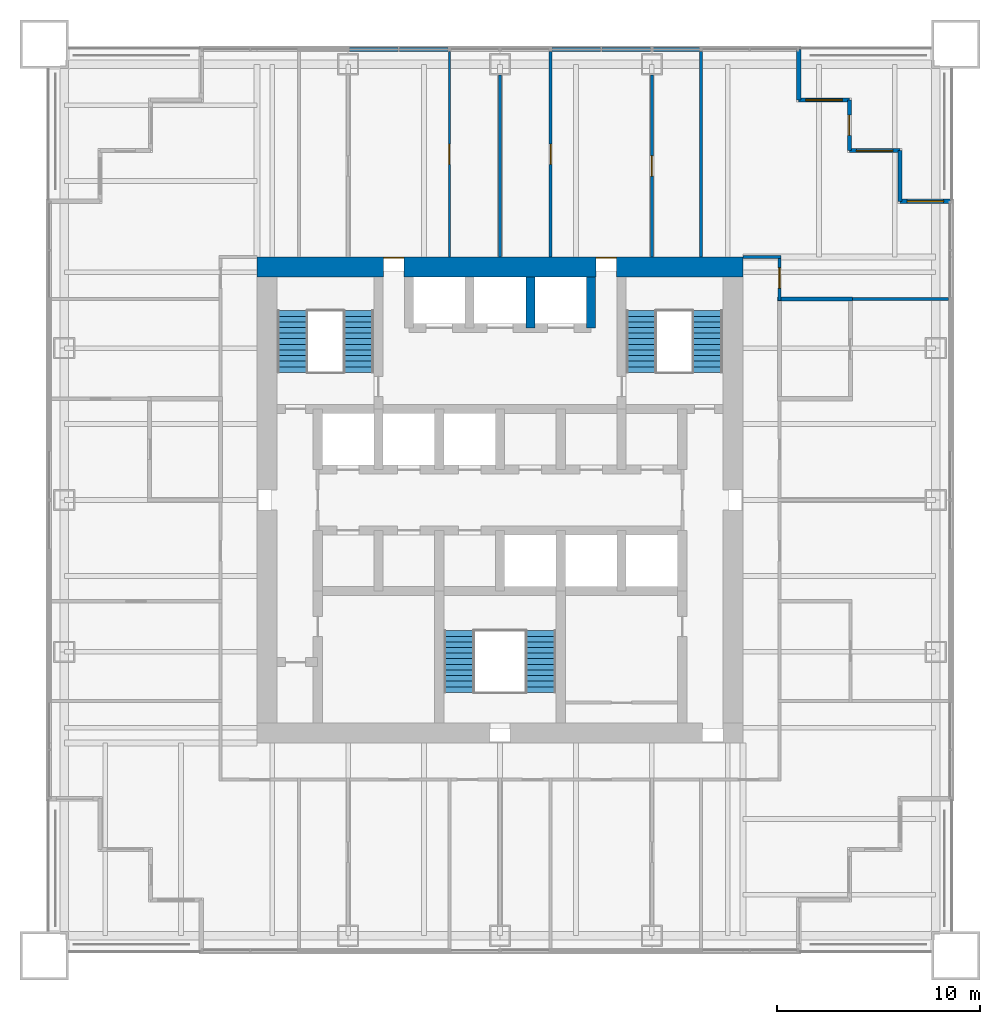
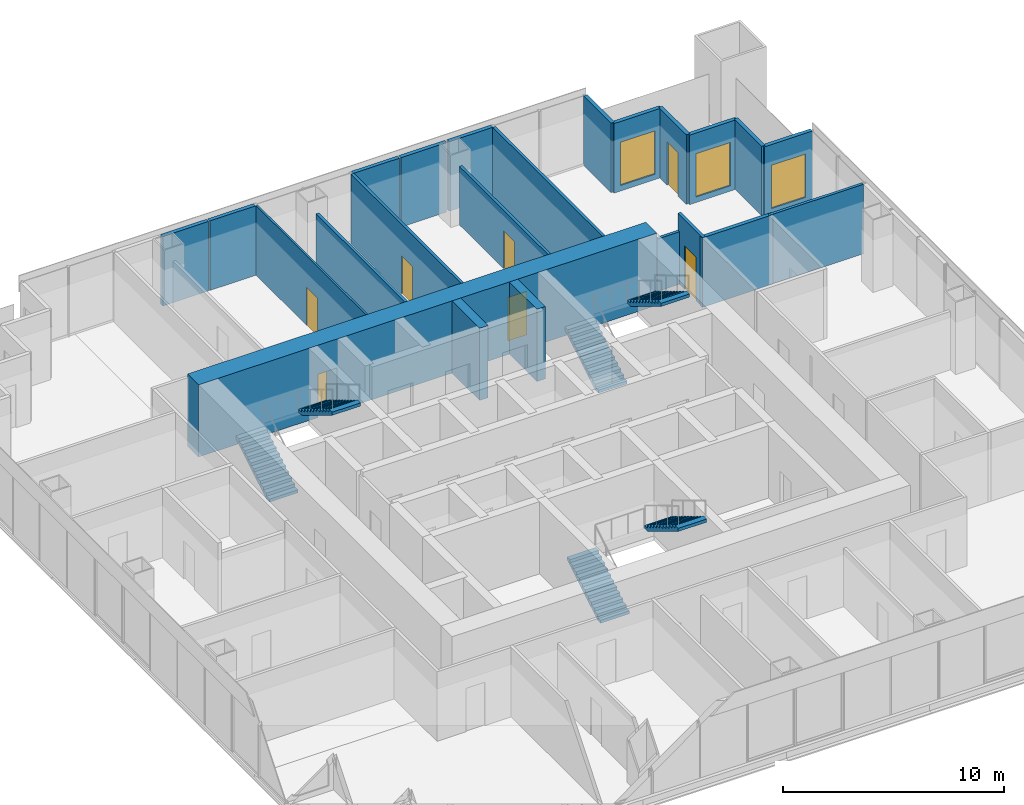
# One storey, part 11 of 13: 23 walls, 7 doors, 6 stair flights, 3 windows, 10 openings, 3 elements without a shape of their own.
"""IFC4 building model written with IfcOpenShell, lengths in metres."""

import ifcopenshell
import ifcopenshell.guid

model = None  # the IFC model being written
_history = None  # IfcOwnerHistory: only IFC2X3 demands one
_inside = {}  # id of a spatial element -> (the spatial element, [elements in it])
_under = {}  # id of a project, library or spatial element -> (it, [spatial elements below it])
_declared = {}  # id of a project -> (the project, [libraries it declares])
_typed = {}  # id of a type object -> (the type object, [elements of that type])
_made_of = {}  # id of a material, layer set ... -> (it, [elements and type objects made of it])


def new_model(schema):
    """Start an empty IFC model of exactly this schema.

    Asked for "IFC4X3", IfcOpenShell would pick the latest addendum, in which some entities
    have other attributes; the version numbers below select the first issue.
    IFC2X3 requires an IfcOwnerHistory on every rooted entity: one is made here for all.
    """
    global model, _history
    if schema == "IFC4X3":
        model = ifcopenshell.file(schema_version=(4, 3, 0, 0))
    else:
        model = ifcopenshell.file(schema=schema)
    _inside.clear()
    _under.clear()
    _declared.clear()
    _typed.clear()
    _made_of.clear()
    _history = None
    if model.schema == "IFC2X3":
        org = make("IfcOrganization", Name="unknown")
        user = make(
            "IfcPersonAndOrganization",
            ThePerson=make("IfcPerson", FamilyName="unknown"),
            TheOrganization=org,
        )
        app = make(
            "IfcApplication",
            ApplicationDeveloper=org,
            Version="unknown",
            ApplicationFullName="unknown",
            ApplicationIdentifier="unknown",
        )
        _history = make(
            "IfcOwnerHistory",
            OwningUser=user,
            OwningApplication=app,
            ChangeAction="ADDED",
            CreationDate=0,
        )
    return model


def make(cls, **values):
    """One entity of the class cls with the attributes given. An attribute that is None is left unset."""
    return model.create_entity(
        cls, **{name: value for name, value in values.items() if value is not None}
    )


def rooted(cls, **values):
    """An entity with a GlobalId (a new one), such as an element, a storey or a relation."""
    return make(cls, GlobalId=ifcopenshell.guid.new(), OwnerHistory=_history, **values)


def si_unit(unit_type, name, prefix=None):
    """IfcSIUnit, for example si_unit("LENGTHUNIT", "METRE", prefix="MILLI")."""
    return make("IfcSIUnit", UnitType=unit_type, Prefix=prefix, Name=name)


def assignment(units):
    """IfcUnitAssignment: the units of a project."""
    return None if units is None else make("IfcUnitAssignment", Units=units)


def point(xyz):
    """IfcCartesianPoint."""
    return None if xyz is None else make("IfcCartesianPoint", Coordinates=xyz)


def direction(xyz):
    """IfcDirection."""
    return None if xyz is None else make("IfcDirection", DirectionRatios=xyz)


def frame(location, z_axis=None, x_axis=None):
    """IfcAxis2Placement3D, a coordinate frame: its origin and axes. An axis left out is left unset."""
    return make(
        "IfcAxis2Placement3D",
        Location=point(location),
        Axis=direction(z_axis),
        RefDirection=direction(x_axis),
    )


def frame_2d(location, x_axis=None):
    """IfcAxis2Placement2D, a coordinate frame in the plane: its origin and x axis."""
    return make(
        "IfcAxis2Placement2D", Location=point(location), RefDirection=direction(x_axis)
    )


def origin():
    """The frame at (0, 0, 0) with its axes left unset."""
    return frame((0.0, 0.0, 0.0))


def place(relative_to, where):
    """IfcLocalPlacement: puts the frame where relative to a parent placement (None: the world)."""
    return make(
        "IfcLocalPlacement", PlacementRelTo=relative_to, RelativePlacement=where
    )


def context(
    kind, dimensions, precision=None, world=None, true_north=None, identifier=None
):
    """IfcGeometricRepresentationContext, for example the 3D "Model" context."""
    return make(
        "IfcGeometricRepresentationContext",
        ContextIdentifier=identifier,
        ContextType=kind,
        CoordinateSpaceDimension=dimensions,
        Precision=precision,
        WorldCoordinateSystem=world,
        TrueNorth=true_north,
    )


def subcontext(parent, identifier, kind, view, scale=None):
    """IfcGeometricRepresentationSubContext, for example "Body" below "Model"."""
    return make(
        "IfcGeometricRepresentationSubContext",
        ContextIdentifier=identifier,
        ContextType=kind,
        ParentContext=parent,
        TargetScale=scale,
        TargetView=view,
    )


def project(units=None, contexts=None):
    """IfcProject with its units and contexts."""
    return rooted(
        "IfcProject",
        Name="project",
        RepresentationContexts=contexts,
        UnitsInContext=assignment(units),
    )


def spatial(cls, under=None, at=None, **own):
    """A site, building, storey or space (cls), placed at a placement, below another one or the project."""
    s = rooted(cls, ObjectPlacement=at, **own)
    if under is not None:
        _under.setdefault(under.id(), (under, []))[1].append(s)
    return s


def polyline(points):
    """IfcPolyline through the points."""
    return make("IfcPolyline", Points=[point(p) for p in points])


def profile(cls, at=None, kind="AREA", **sizes):
    """A parametric profile (cls). Its sizes go by their IFC names, for example OverallWidth=200.0."""
    return make(cls, ProfileType=kind, Position=at, **sizes)


def rectangle(**sizes):
    """IfcRectangleProfileDef."""
    return profile("IfcRectangleProfileDef", **sizes)


def outline(outer, holes=None, kind="AREA"):
    """IfcArbitraryClosedProfileDef: a profile drawn as a closed curve; with holes, ...WithVoids."""
    if holes is None:
        return make("IfcArbitraryClosedProfileDef", ProfileType=kind, OuterCurve=outer)
    return make(
        "IfcArbitraryProfileDefWithVoids",
        ProfileType=kind,
        OuterCurve=outer,
        InnerCurves=holes,
    )


def extrude(swept, where, along, depth):
    """IfcExtrudedAreaSolid: the profile swept, set in the frame where, extruded along a direction by depth."""
    return make(
        "IfcExtrudedAreaSolid",
        SweptArea=swept,
        Position=where,
        ExtrudedDirection=direction(along),
        Depth=depth,
    )


def shape(context_of_items, identifier, shape_type, items):
    """IfcShapeRepresentation: the items that make up one representation, for example the "Body"."""
    return make(
        "IfcShapeRepresentation",
        ContextOfItems=context_of_items,
        RepresentationIdentifier=identifier,
        RepresentationType=shape_type,
        Items=items,
    )


def material(Name=None, Category=None):
    """IfcMaterial."""
    return make("IfcMaterial", Name=Name, Category=Category)


def layer(
    of_material, thickness, ventilated=None, Name=None, Category=None, Priority=None
):
    """IfcMaterialLayer: one layer of a wall or slab, of a material (None: an air gap)."""
    return make(
        "IfcMaterialLayer",
        Material=of_material,
        LayerThickness=thickness,
        IsVentilated=ventilated,
        Name=Name,
        Category=Category,
        Priority=Priority,
    )


def layer_set(layers, Name=None):
    """IfcMaterialLayerSet."""
    return make("IfcMaterialLayerSet", MaterialLayers=layers, LayerSetName=Name)


def made_of(thing, what):
    """Note that an element or type object is made of a material, layer set ...; save() writes the relation."""
    if what is not None:
        _made_of.setdefault(what.id(), (what, []))[1].append(thing)
    return thing


def type_object(cls, material=None, **own):
    """A type object (cls), such as IfcWallType, which elements share."""
    return made_of(rooted(cls, **own), material)


def element(
    cls,
    number,
    at=None,
    inside=None,
    cuts=None,
    type_object=None,
    material=None,
    context=None,
    identifier="Body",
    shape_type=None,
    held_by="IfcProductDefinitionShape",
    body=None,
    shapes=None,
    **own,
):
    """One element of the class cls, such as IfcWall. Its Tag is "e" and its number.

    at: its placement. inside: the storey or other place that contains it. cuts: it is an
    opening in that element (IfcRelVoidsElement). A single representation is given by context,
    identifier, shape_type and body (its items); several are given by shapes. held_by: the class
    of the entity that holds the representations. save() writes the other relations.
    """
    e = rooted(cls, Tag="e%d" % number, ObjectPlacement=at, **own)
    if body is not None:
        shapes = [shape(context, identifier, shape_type, body)]
    if shapes is not None:
        e.Representation = make(held_by, Representations=shapes)
    if inside is not None:
        _inside.setdefault(inside.id(), (inside, []))[1].append(e)
    if cuts is not None:
        rooted(
            "IfcRelVoidsElement", RelatingBuildingElement=cuts, RelatedOpeningElement=e
        )
    if type_object is not None:
        _typed.setdefault(type_object.id(), (type_object, []))[1].append(e)
    return made_of(e, material)


def fill(opening, filler):
    """IfcRelFillsElement: the door or window that sits in an opening."""
    return rooted(
        "IfcRelFillsElement",
        RelatingOpeningElement=opening,
        RelatedBuildingElement=filler,
    )


def aggregate(whole, parts):
    """IfcRelAggregates: a whole, such as a stair, and the parts it consists of."""
    return rooted("IfcRelAggregates", RelatingObject=whole, RelatedObjects=parts)


def save(model, path):
    """Write the relations noted so far, then the file.

    IfcRelAggregates (storeys below a building ...), IfcRelContainedInSpatialStructure (elements
    in a storey), IfcRelDefinesByType, IfcRelAssociatesMaterial and IfcRelDeclares: one each for
    every whole, place, type object, material and project.
    """
    for whole, parts in _under.values():
        aggregate(whole, parts)
    for where, things in _inside.values():
        rooted(
            "IfcRelContainedInSpatialStructure",
            RelatedElements=things,
            RelatingStructure=where,
        )
    for kind, things in _typed.values():
        rooted("IfcRelDefinesByType", RelatedObjects=things, RelatingType=kind)
    for what, things in _made_of.values():
        rooted("IfcRelAssociatesMaterial", RelatedObjects=things, RelatingMaterial=what)
    for by, libraries in _declared.values():
        rooted("IfcRelDeclares", RelatingContext=by, RelatedDefinitions=libraries)
    model.write(path)


model = new_model("IFC4")

# Units and contexts
model_context = context("Model", 3, precision=1e-05, world=origin(), true_north=direction((0.0, 1.0)))
body_context = subcontext(model_context, "Body", "Model", "MODEL_VIEW")
ifc_project = project(units=[si_unit("LENGTHUNIT", "METRE"), si_unit("AREAUNIT", "SQUARE_METRE"), si_unit("VOLUMEUNIT", "CUBIC_METRE"), si_unit("PLANEANGLEUNIT", "RADIAN"), si_unit("MASSUNIT", "GRAM", prefix="KILO")], contexts=[model_context])

# Site, building, storey
site_placement = place(None, origin())
site = spatial("IfcSite", under=ifc_project, at=site_placement, CompositionType="ELEMENT")
building_placement = place(site_placement, origin())
building = spatial("IfcBuilding", under=site, at=building_placement, Name="Tarangal Relay Tower", CompositionType="ELEMENT")
storey_placement = place(building_placement, frame((0.0, 0.0, 189.89990234375)))
storey = spatial("IfcBuildingStorey", under=building, at=storey_placement, Name="L39", CompositionType="ELEMENT", Elevation=189.89990234375)

# Walls
ifc_material_1 = material(Name="Two layers gypsum board each side on twin steel studs, mineral wool", Category="steel")
ifc_layer_1 = layer(ifc_material_1, 0.199951171875)
ifc_layer_set_1 = layer_set([ifc_layer_1], Name="Acoustic partition 200")
wall_type_1 = type_object("IfcWallType", Name="Acoustic partition 200", PredefinedType="PARTITIONING", material=ifc_layer_set_1)
wall_1_placement = place(storey_placement, frame((13.699951171875, 9.9169921875, 0.0), z_axis=(0.0, 0.0, 1.0), x_axis=(1.0, 0.0, 0.0)))
element("IfcWall", 1, at=wall_1_placement, inside=storey, type_object=wall_type_1, Name="Partition PT2 L39", PredefinedType="PARTITIONING", context=body_context, shape_type="SweptSolid", body=[
    extrude(rectangle(XDim=3.699951171875, YDim=0.199951171875, at=frame_2d((1.85009765625, 0.0))), origin(), (0.0, 0.0, 1.0), 3.85009765625),
])
ifc_material_2 = material(Name="Concrete fc' 60 MPa", Category="concrete")
ifc_layer_2 = layer(ifc_material_2, 0.449951171875)
ifc_layer_set_2 = layer_set([ifc_layer_2], Name="Core inner wall 450")
wall_type_2 = type_object("IfcWallType", Name="Core inner wall 450", PredefinedType="SHEAR", material=ifc_layer_set_2)
for number, where, z_axis, x_axis, name in (
    (2, (4.5, 8.5, 0.0), (0.0, 0.0, 1.0), (0.0, 1.0, 0.0), "Core wall X45 L39"),
    (3, (1.5, 8.5, 0.0), (0.0, 0.0, 1.0), (0.0, 1.0, 0.0), "Core wall X15 L39"),
):
    element("IfcWall", number, at=place(storey_placement, frame(where, z_axis=z_axis, x_axis=x_axis)), inside=storey, type_object=wall_type_2, Name=name, PredefinedType="SHEAR", context=body_context, shape_type="SweptSolid", body=[
        extrude(rectangle(XDim=2.5, YDim=0.449951171875, at=frame_2d((1.25, 0.0))), origin(), (0.0, 0.0, 1.0), 4.0),
    ])

# Wall, openings, doors
ifc_layer_3 = layer(ifc_material_2, 1.0)
ifc_layer_set_3 = layer_set([ifc_layer_3], Name="Core wall 1000")
wall_type_3 = type_object("IfcWallType", Name="Core wall 1000", PredefinedType="SHEAR", material=ifc_layer_set_3)
wall_2_placement = place(storey_placement, frame((-12.0, 11.5, 0.0), z_axis=(0.0, 0.0, 1.0), x_axis=(1.0, 0.0, 0.0)))
wall_2 = element("IfcWall", 4, at=wall_2_placement, inside=storey, type_object=wall_type_3, Name="Core wall N L39", PredefinedType="SHEAR", context=body_context, shape_type="SweptSolid", body=[
    extrude(rectangle(XDim=24.0, YDim=1.0, at=frame_2d((12.0, 0.0))), origin(), (0.0, 0.0, 1.0), 4.0),
])
opening_1_placement = place(wall_2_placement, frame((6.25, 0.0, 0.0)))
opening_1 = element("IfcOpeningElement", 5, at=opening_1_placement, cuts=wall_2, Name="Opening FD3", PredefinedType="OPENING", context=body_context, shape_type="SweptSolid", body=[
    extrude(rectangle(XDim=1.0, YDim=2.39990234375, at=frame_2d((0.5, 1.199951171875))), frame((0.0, 0.510009765625, 0.0), z_axis=(0.0, -1.0, 0.0), x_axis=(1.0, 0.0, 0.0)), (0.0, 0.0, 1.0), 1.02001953125),
])
opening_2_placement = place(wall_2_placement, frame((16.75, 0.0, 0.0)))
opening_2 = element("IfcOpeningElement", 6, at=opening_2_placement, cuts=wall_2, Name="Opening FD3", PredefinedType="OPENING", context=body_context, shape_type="SweptSolid", body=[
    extrude(rectangle(XDim=1.0, YDim=2.39990234375, at=frame_2d((0.5, 1.199951171875))), frame((0.0, 0.510009765625, 0.0), z_axis=(0.0, -1.0, 0.0), x_axis=(1.0, 0.0, 0.0)), (0.0, 0.0, 1.0), 1.02001953125),
])
ifc_material_3 = material(Name="Steel door with hardwood frame", Category="steel")
door_type_1 = type_object("IfcDoorType", Name="Fire door 1000 x 2400 core entry", OperationType="SINGLE_SWING_RIGHT", PredefinedType="DOOR", material=ifc_material_3)
door_1_placement = place(opening_1_placement, origin())
door_1 = element("IfcDoor", 7, at=door_1_placement, inside=storey, type_object=door_type_1, Name="Core entry door north west L39", OperationType="SINGLE_SWING_RIGHT", OverallHeight=2.39990234375, OverallWidth=1.0, PredefinedType="DOOR", context=body_context, shape_type="SweptSolid", body=[
    extrude(rectangle(XDim=1.0, YDim=2.39990234375, at=frame_2d((0.5, 1.199951171875))), frame((0.0, 0.48486328125, 0.0), z_axis=(0.0, -1.0, 0.0), x_axis=(1.0, 0.0, 0.0)), (0.0, 0.0, 1.0), 0.050048828125),
])
fill(opening_1, door_1)
door_2_placement = place(opening_2_placement, origin())
door_2 = element("IfcDoor", 8, at=door_2_placement, inside=storey, type_object=door_type_1, Name="Core entry door north east L39", OperationType="SINGLE_SWING_RIGHT", OverallHeight=2.39990234375, OverallWidth=1.0, PredefinedType="DOOR", context=body_context, shape_type="SweptSolid", body=[
    extrude(rectangle(XDim=1.0, YDim=2.39990234375, at=frame_2d((0.5, 1.199951171875))), frame((0.0, 0.48486328125, 0.0), z_axis=(0.0, -1.0, 0.0), x_axis=(1.0, 0.0, 0.0)), (0.0, 0.0, 1.0), 0.050048828125),
])
fill(opening_2, door_2)

# Wall
ifc_material_4 = material(Name="Black metal clad insulated wall", Category="steel")
ifc_layer_4 = layer(ifc_material_4, 0.199951171875)
ifc_layer_set_4 = layer_set([ifc_layer_4], Name="Corner wall metal clad 200")
wall_type_4 = type_object("IfcWallType", Name="Corner wall metal clad 200", PredefinedType="SOLIDWALL", material=ifc_layer_set_4)
wall_3_placement = place(storey_placement, frame((14.75, 22.25, 0.0), z_axis=(0.0, 0.0, 1.0), x_axis=(0.0, -1.0, 0.0)))
element("IfcWall", 9, at=wall_3_placement, inside=storey, type_object=wall_type_4, Name="Facade wall N facade L39", PredefinedType="SOLIDWALL", context=body_context, shape_type="SweptSolid", body=[
    extrude(rectangle(XDim=2.5, YDim=0.199951171875, at=frame_2d((1.25, 0.0))), origin(), (0.0, 0.0, 1.0), 3.85009765625),
])

# Wall, opening, window
wall_4_placement = place(storey_placement, frame((14.75, 19.75, 0.0), z_axis=(0.0, 0.0, 1.0), x_axis=(1.0, 0.0, 0.0)))
wall_4 = element("IfcWall", 10, at=wall_4_placement, inside=storey, type_object=wall_type_4, Name="Facade wall N facade L39", PredefinedType="SOLIDWALL", context=body_context, shape_type="SweptSolid", body=[
    extrude(rectangle(XDim=2.5, YDim=0.199951171875, at=frame_2d((1.25, 0.0))), origin(), (0.0, 0.0, 1.0), 3.85009765625),
])
opening_3_placement = place(wall_4_placement, frame((0.35009765625, 0.0, 0.300048828125)))
opening_3 = element("IfcOpeningElement", 11, at=opening_3_placement, cuts=wall_4, Name="Opening WN2", PredefinedType="OPENING", context=body_context, shape_type="SweptSolid", body=[
    extrude(rectangle(XDim=1.800048828125, YDim=2.39990234375, at=frame_2d((0.89990234375, 1.199951171875))), frame((0.0, 0.10986328125, 0.0), z_axis=(0.0, -1.0, 0.0), x_axis=(1.0, 0.0, 0.0)), (0.0, 0.0, 1.0), 0.219970703125),
])
ifc_material_5 = material(Name="Dark tinted double glazing in black aluminium frame", Category="aluminium")
window_type = type_object("IfcWindowType", Name="Corner window 1800 x 2400", PartitioningType="SINGLE_PANEL", PredefinedType="WINDOW", material=ifc_material_5)
window_1_placement = place(opening_3_placement, origin())
window_1 = element("IfcWindow", 12, at=window_1_placement, inside=storey, type_object=window_type, Name="Corner window WN2 N facade L39", OverallHeight=2.39990234375, OverallWidth=1.800048828125, PartitioningType="SINGLE_PANEL", PredefinedType="WINDOW", context=body_context, shape_type="SweptSolid", body=[
    extrude(rectangle(XDim=1.800048828125, YDim=2.39990234375, at=frame_2d((0.89990234375, 1.199951171875))), frame((0.0, 0.030029296875, 0.0), z_axis=(0.0, -1.0, 0.0), x_axis=(1.0, 0.0, 0.0)), (0.0, 0.0, 1.0), 0.06005859375),
])
fill(opening_3, window_1)

# Wall, opening, door
wall_5_placement = place(storey_placement, frame((17.25, 19.75, 0.0), z_axis=(0.0, 0.0, 1.0), x_axis=(0.0, -1.0, 0.0)))
wall_5 = element("IfcWall", 13, at=wall_5_placement, inside=storey, type_object=wall_type_4, Name="Facade wall N facade L39", PredefinedType="SOLIDWALL", context=body_context, shape_type="SweptSolid", body=[
    extrude(rectangle(XDim=2.5, YDim=0.199951171875, at=frame_2d((1.25, 0.0))), origin(), (0.0, 0.0, 1.0), 3.85009765625),
])
opening_4_placement = place(wall_5_placement, frame((0.75, 0.0, 0.0)))
opening_4 = element("IfcOpeningElement", 14, at=opening_4_placement, cuts=wall_5, Name="Opening TD1", PredefinedType="OPENING", context=body_context, shape_type="SweptSolid", body=[
    extrude(rectangle(XDim=1.0, YDim=2.39990234375, at=frame_2d((0.5, 1.199951171875))), frame((0.0, 0.10986328125, 0.0), z_axis=(0.0, -1.0, 0.0), x_axis=(1.0, 0.0, 0.0)), (0.0, 0.0, 1.0), 0.219970703125),
])
ifc_material_6 = material(Name="Aluminium glazed door", Category="aluminium")
door_type_2 = type_object("IfcDoorType", Name="Terrace door 1000 x 2400", OperationType="SINGLE_SWING_RIGHT", PredefinedType="DOOR", material=ifc_material_6)
door_3_placement = place(opening_4_placement, origin())
door_3 = element("IfcDoor", 15, at=door_3_placement, inside=storey, type_object=door_type_2, Name="Terrace door TD1 NE L39", OperationType="SINGLE_SWING_RIGHT", OverallHeight=2.39990234375, OverallWidth=1.0, PredefinedType="DOOR", context=body_context, shape_type="SweptSolid", body=[
    extrude(rectangle(XDim=1.0, YDim=2.39990234375, at=frame_2d((0.5, 1.199951171875))), frame((0.0, 0.02490234375, 0.0), z_axis=(0.0, -1.0, 0.0), x_axis=(1.0, 0.0, 0.0)), (0.0, 0.0, 1.0), 0.050048828125),
])
fill(opening_4, door_3)

# Wall, opening, window
wall_6_placement = place(storey_placement, frame((17.25, 17.25, 0.0), z_axis=(0.0, 0.0, 1.0), x_axis=(1.0, 0.0, 0.0)))
wall_6 = element("IfcWall", 16, at=wall_6_placement, inside=storey, type_object=wall_type_4, Name="Facade wall N facade L39", PredefinedType="SOLIDWALL", context=body_context, shape_type="SweptSolid", body=[
    extrude(rectangle(XDim=2.5, YDim=0.199951171875, at=frame_2d((1.25, 0.0))), origin(), (0.0, 0.0, 1.0), 3.85009765625),
])
opening_5_placement = place(wall_6_placement, frame((0.35009765625, 0.0, 0.300048828125)))
opening_5 = element("IfcOpeningElement", 17, at=opening_5_placement, cuts=wall_6, Name="Opening WN2", PredefinedType="OPENING", context=body_context, shape_type="SweptSolid", body=[
    extrude(rectangle(XDim=1.800048828125, YDim=2.39990234375, at=frame_2d((0.89990234375, 1.199951171875))), frame((0.0, 0.10986328125, 0.0), z_axis=(0.0, -1.0, 0.0), x_axis=(1.0, 0.0, 0.0)), (0.0, 0.0, 1.0), 0.219970703125),
])
window_2_placement = place(opening_5_placement, origin())
window_2 = element("IfcWindow", 18, at=window_2_placement, inside=storey, type_object=window_type, Name="Corner window WN2 N facade L39", OverallHeight=2.39990234375, OverallWidth=1.800048828125, PartitioningType="SINGLE_PANEL", PredefinedType="WINDOW", context=body_context, shape_type="SweptSolid", body=[
    extrude(rectangle(XDim=1.800048828125, YDim=2.39990234375, at=frame_2d((0.89990234375, 1.199951171875))), frame((0.0, 0.030029296875, 0.0), z_axis=(0.0, -1.0, 0.0), x_axis=(1.0, 0.0, 0.0)), (0.0, 0.0, 1.0), 0.06005859375),
])
fill(opening_5, window_2)

# Wall
wall_7_placement = place(storey_placement, frame((19.75, 17.25, 0.0), z_axis=(0.0, 0.0, 1.0), x_axis=(0.0, -1.0, 0.0)))
element("IfcWall", 19, at=wall_7_placement, inside=storey, type_object=wall_type_4, Name="Facade wall N facade L39", PredefinedType="SOLIDWALL", context=body_context, shape_type="SweptSolid", body=[
    extrude(rectangle(XDim=2.5, YDim=0.199951171875, at=frame_2d((1.25, 0.0))), origin(), (0.0, 0.0, 1.0), 3.85009765625),
])

# Wall, opening, window
wall_8_placement = place(storey_placement, frame((19.75, 14.75, 0.0), z_axis=(0.0, 0.0, 1.0), x_axis=(1.0, 0.0, 0.0)))
wall_8 = element("IfcWall", 20, at=wall_8_placement, inside=storey, type_object=wall_type_4, Name="Facade wall N facade L39", PredefinedType="SOLIDWALL", context=body_context, shape_type="SweptSolid", body=[
    extrude(rectangle(XDim=2.5, YDim=0.199951171875, at=frame_2d((1.25, 0.0))), origin(), (0.0, 0.0, 1.0), 3.85009765625),
])
opening_6_placement = place(wall_8_placement, frame((0.35009765625, 0.0, 0.300048828125)))
opening_6 = element("IfcOpeningElement", 21, at=opening_6_placement, cuts=wall_8, Name="Opening WN2", PredefinedType="OPENING", context=body_context, shape_type="SweptSolid", body=[
    extrude(rectangle(XDim=1.800048828125, YDim=2.39990234375, at=frame_2d((0.89990234375, 1.199951171875))), frame((0.0, 0.10986328125, 0.0), z_axis=(0.0, -1.0, 0.0), x_axis=(1.0, 0.0, 0.0)), (0.0, 0.0, 1.0), 0.219970703125),
])
window_3_placement = place(opening_6_placement, origin())
window_3 = element("IfcWindow", 22, at=window_3_placement, inside=storey, type_object=window_type, Name="Corner window WN2 N facade L39", OverallHeight=2.39990234375, OverallWidth=1.800048828125, PartitioningType="SINGLE_PANEL", PredefinedType="WINDOW", context=body_context, shape_type="SweptSolid", body=[
    extrude(rectangle(XDim=1.800048828125, YDim=2.39990234375, at=frame_2d((0.89990234375, 1.199951171875))), frame((0.0, 0.030029296875, 0.0), z_axis=(0.0, -1.0, 0.0), x_axis=(1.0, 0.0, 0.0)), (0.0, 0.0, 1.0), 0.06005859375),
])
fill(opening_6, window_3)

# Walls
ifc_layer_5 = layer(ifc_material_4, 0.199951171875)
ifc_layer_set_5 = layer_set([ifc_layer_5], Name="Facade infill wall metal clad 200")
wall_type_5 = type_object("IfcWallType", Name="Facade infill wall metal clad 200", PredefinedType="SOLIDWALL", material=ifc_layer_set_5)
for number, where, z_axis, x_axis, name in (
    (23, (-7.43505859375, 22.25, 0.0), (0.0, 0.0, 1.0), (1.0, 0.0, 0.0), "Facade infill wall N facade L39 1.1"),
    (24, (-4.967529296875, 22.25, 0.0), (0.0, 0.0, 1.0), (1.0, 0.0, 0.0), "Facade infill wall N facade L39 2.1"),
    (25, (2.56494140625, 22.25, 0.0), (0.0, 0.0, 1.0), (1.0, 0.0, 0.0), "Facade infill wall N facade L39 1.1"),
    (26, (5.032470703125, 22.25, 0.0), (0.0, 0.0, 1.0), (1.0, 0.0, 0.0), "Facade infill wall N facade L39 2.1"),
):
    element("IfcWall", number, at=place(storey_placement, frame(where, z_axis=z_axis, x_axis=x_axis)), inside=storey, type_object=wall_type_5, Name=name, PredefinedType="SOLIDWALL", context=body_context, shape_type="SweptSolid", body=[
        extrude(rectangle(XDim=2.402587890625, YDim=0.199951171875, at=frame_2d((1.201171875, 0.0))), origin(), (0.0, 0.0, 1.0), 3.85009765625),
    ])
wall_9_placement = place(storey_placement, frame((7.56494140625, 22.25, 0.0), z_axis=(0.0, 0.0, 1.0), x_axis=(1.0, 0.0, 0.0)))
element("IfcWall", 27, at=wall_9_placement, inside=storey, type_object=wall_type_5, Name="Facade infill wall N facade L39 1.1", PredefinedType="SOLIDWALL", context=body_context, shape_type="SweptSolid", body=[
    extrude(rectangle(XDim=2.286865234375, YDim=0.199951171875, at=frame_2d((1.1435546875, 0.0))), origin(), (0.0, 0.0, 1.0), 3.85009765625),
])

# Wall, opening, door
ifc_material_7 = material(Name="Double glazed aluminium framed partition", Category="aluminium")
ifc_layer_6 = layer(ifc_material_7, 0.10009765625)
ifc_layer_set_6 = layer_set([ifc_layer_6], Name="Glazed partition 100")
wall_type_6 = type_object("IfcWallType", Name="Glazed partition 100", PredefinedType="PARTITIONING", material=ifc_layer_set_6)
wall_10_placement = place(storey_placement, frame((-2.5, 12.0, 0.0), z_axis=(0.0, 0.0, 1.0), x_axis=(0.0, 1.0, 0.0)))
wall_10 = element("IfcWall", 28, at=wall_10_placement, inside=storey, type_object=wall_type_6, Name="Partition PT3 L39", PredefinedType="PARTITIONING", context=body_context, shape_type="SweptSolid", body=[
    extrude(rectangle(XDim=10.14990234375, YDim=0.10009765625, at=frame_2d((5.074951171875, 0.0))), origin(), (0.0, 0.0, 1.0), 3.85009765625),
])
opening_7_placement = place(wall_10_placement, frame((4.574951171875, 0.0, 0.0)))
opening_7 = element("IfcOpeningElement", 29, at=opening_7_placement, cuts=wall_10, Name="Opening D3", PredefinedType="OPENING", context=body_context, shape_type="SweptSolid", body=[
    extrude(rectangle(XDim=1.0, YDim=2.10009765625, at=frame_2d((0.5, 1.050048828125))), frame((0.0, 0.06005859375, 0.0), z_axis=(0.0, -1.0, 0.0), x_axis=(1.0, 0.0, 0.0)), (0.0, 0.0, 1.0), 0.1201171875),
])
ifc_material_8 = material(Name="Frameless glass door", Category="glass")
door_type_3 = type_object("IfcDoorType", Name="Glazed door 1000 x 2100", OperationType="SINGLE_SWING_LEFT", PredefinedType="DOOR", material=ifc_material_8)
door_4_placement = place(opening_7_placement, origin())
door_4 = element("IfcDoor", 30, at=door_4_placement, inside=storey, type_object=door_type_3, Name="Door D3 to meeting room L39-04", OperationType="SINGLE_SWING_LEFT", OverallHeight=2.10009765625, OverallWidth=1.0, PredefinedType="DOOR", context=body_context, shape_type="SweptSolid", body=[
    extrude(rectangle(XDim=1.0, YDim=2.10009765625, at=frame_2d((0.5, 1.050048828125))), frame((0.0, 0.02490234375, 0.0), z_axis=(0.0, -1.0, 0.0), x_axis=(1.0, 0.0, 0.0)), (0.0, 0.0, 1.0), 0.050048828125),
])
fill(opening_7, door_4)

# Walls
ifc_material_9 = material(Name="Gypsum board on steel studs", Category="steel")
ifc_layer_7 = layer(ifc_material_9, 0.14990234375)
ifc_layer_set_7 = layer_set([ifc_layer_7], Name="Partition 150")
wall_type_7 = type_object("IfcWallType", Name="Partition 150", PredefinedType="PARTITIONING", material=ifc_layer_set_7)
wall_11_placement = place(storey_placement, frame((17.22509765625, 9.9169921875, 0.0), z_axis=(0.0, 0.0, 1.0), x_axis=(1.0, 0.0, 0.0)))
element("IfcWall", 31, at=wall_11_placement, inside=storey, type_object=wall_type_7, Name="Partition PT1 L39", PredefinedType="PARTITIONING", context=body_context, shape_type="SweptSolid", body=[
    extrude(rectangle(XDim=4.9248046875, YDim=0.14990234375, at=frame_2d((2.46240234375, 0.0))), origin(), (0.0, 0.0, 1.0), 3.85009765625),
])
wall_12_placement = place(storey_placement, frame((12.0, 12.0, 0.0), z_axis=(0.0, 0.0, 1.0), x_axis=(1.0, 0.0, 0.0)))
element("IfcWall", 32, at=wall_12_placement, inside=storey, type_object=wall_type_7, Name="Partition PT1 L39", PredefinedType="PARTITIONING", context=body_context, shape_type="SweptSolid", body=[
    extrude(rectangle(XDim=1.875, YDim=0.14990234375, at=frame_2d((0.9375, 0.0))), origin(), (0.0, 0.0, 1.0), 2.907958984375),
])
wall_13_placement = place(storey_placement, frame((0.0, 12.0, 0.0), z_axis=(0.0, 0.0, 1.0), x_axis=(0.0, 1.0, 0.0)))
element("IfcWall", 33, at=wall_13_placement, inside=storey, type_object=wall_type_7, Name="Partition PT1 L39", PredefinedType="PARTITIONING", context=body_context, shape_type="SweptSolid", body=[
    extrude(rectangle(XDim=8.989990234375, YDim=0.14990234375, at=frame_2d((4.4951171875, 0.0))), origin(), (0.0, 0.0, 1.0), 3.238037109375),
])

# Wall, opening, door
wall_14_placement = place(storey_placement, frame((2.5, 12.0, 0.0), z_axis=(0.0, 0.0, 1.0), x_axis=(0.0, 1.0, 0.0)))
wall_14 = element("IfcWall", 34, at=wall_14_placement, inside=storey, type_object=wall_type_7, Name="Partition PT1 L39", PredefinedType="PARTITIONING", context=body_context, shape_type="SweptSolid", body=[
    extrude(rectangle(XDim=10.14990234375, YDim=0.14990234375, at=frame_2d((5.074951171875, 0.0))), origin(), (0.0, 0.0, 1.0), 3.85009765625),
])
opening_8_placement = place(wall_14_placement, frame((4.574951171875, 0.0, 0.0)))
opening_8 = element("IfcOpeningElement", 35, at=opening_8_placement, cuts=wall_14, Name="Opening D2", PredefinedType="OPENING", context=body_context, shape_type="SweptSolid", body=[
    extrude(rectangle(XDim=1.0, YDim=2.10009765625, at=frame_2d((0.5, 1.050048828125))), frame((0.0, 0.0849609375, 0.0), z_axis=(0.0, -1.0, 0.0), x_axis=(1.0, 0.0, 0.0)), (0.0, 0.0, 1.0), 0.169921875),
])
ifc_material_10 = material(Name="Hardwood door", Category="wood")
door_type_4 = type_object("IfcDoorType", Name="Door 1000 x 2100", OperationType="SINGLE_SWING_LEFT", PredefinedType="DOOR", material=ifc_material_10)
door_5_placement = place(opening_8_placement, origin())
door_5 = element("IfcDoor", 36, at=door_5_placement, inside=storey, type_object=door_type_4, Name="Door D2 to cellular office L39-05", OperationType="SINGLE_SWING_LEFT", OverallHeight=2.10009765625, OverallWidth=1.0, PredefinedType="DOOR", context=body_context, shape_type="SweptSolid", body=[
    extrude(rectangle(XDim=1.0, YDim=2.10009765625, at=frame_2d((0.5, 1.050048828125))), frame((0.0, 0.02490234375, 0.0), z_axis=(0.0, -1.0, 0.0), x_axis=(1.0, 0.0, 0.0)), (0.0, 0.0, 1.0), 0.050048828125),
])
fill(opening_8, door_5)

wall_15_placement = place(storey_placement, frame((7.5, 12.0, 0.0), z_axis=(0.0, 0.0, 1.0), x_axis=(0.0, 1.0, 0.0)))
wall_15 = element("IfcWall", 37, at=wall_15_placement, inside=storey, type_object=wall_type_7, Name="Partition PT1 L39", PredefinedType="PARTITIONING", context=body_context, shape_type="SweptSolid", body=[
    extrude(rectangle(XDim=8.989990234375, YDim=0.14990234375, at=frame_2d((4.4951171875, 0.0))), origin(), (0.0, 0.0, 1.0), 3.238037109375),
])
opening_9_placement = place(wall_15_placement, frame((3.9951171875, 0.0, 0.0)))
opening_9 = element("IfcOpeningElement", 38, at=opening_9_placement, cuts=wall_15, Name="Opening D2", PredefinedType="OPENING", context=body_context, shape_type="SweptSolid", body=[
    extrude(rectangle(XDim=1.0, YDim=2.10009765625, at=frame_2d((0.5, 1.050048828125))), frame((0.0, 0.0849609375, 0.0), z_axis=(0.0, -1.0, 0.0), x_axis=(1.0, 0.0, 0.0)), (0.0, 0.0, 1.0), 0.169921875),
])
door_6_placement = place(opening_9_placement, origin())
door_6 = element("IfcDoor", 39, at=door_6_placement, inside=storey, type_object=door_type_4, Name="Door D2 to cellular office L39-07", OperationType="SINGLE_SWING_LEFT", OverallHeight=2.10009765625, OverallWidth=1.0, PredefinedType="DOOR", context=body_context, shape_type="SweptSolid", body=[
    extrude(rectangle(XDim=1.0, YDim=2.10009765625, at=frame_2d((0.5, 1.050048828125))), frame((0.0, 0.02490234375, 0.0), z_axis=(0.0, -1.0, 0.0), x_axis=(1.0, 0.0, 0.0)), (0.0, 0.0, 1.0), 0.050048828125),
])
fill(opening_9, door_6)

# Wall
wall_16_placement = place(storey_placement, frame((9.9169921875, 12.0, 0.0), z_axis=(0.0, 0.0, 1.0), x_axis=(0.0, 1.0, 0.0)))
element("IfcWall", 40, at=wall_16_placement, inside=storey, type_object=wall_type_7, Name="Partition PT1 L39", PredefinedType="PARTITIONING", context=body_context, shape_type="SweptSolid", body=[
    extrude(rectangle(XDim=10.14990234375, YDim=0.14990234375, at=frame_2d((5.074951171875, 0.0))), origin(), (0.0, 0.0, 1.0), 3.85009765625),
])

# Wall, opening, door
wall_17_placement = place(storey_placement, frame((13.800048828125, 9.842041015625, 0.0), z_axis=(0.0, 0.0, 1.0), x_axis=(0.0, 1.0, 0.0)))
wall_17 = element("IfcWall", 41, at=wall_17_placement, inside=storey, type_object=wall_type_7, Name="Partition PT1 L39", PredefinedType="PARTITIONING", context=body_context, shape_type="SweptSolid", body=[
    extrude(rectangle(XDim=2.23291015625, YDim=0.14990234375, at=frame_2d((1.116455078125, 0.0))), origin(), (0.0, 0.0, 1.0), 3.85009765625),
])
opening_10_placement = place(wall_17_placement, frame((0.616455078125, 0.0, 0.0)))
opening_10 = element("IfcOpeningElement", 42, at=opening_10_placement, cuts=wall_17, Name="Opening SD1", PredefinedType="OPENING", context=body_context, shape_type="SweptSolid", body=[
    extrude(rectangle(XDim=1.0, YDim=2.39990234375, at=frame_2d((0.5, 1.199951171875))), frame((0.0, 0.0849609375, 0.0), z_axis=(0.0, -1.0, 0.0), x_axis=(1.0, 0.0, 0.0)), (0.0, 0.0, 1.0), 0.169921875),
])
door_type_5 = type_object("IfcDoorType", Name="Suite entrance door 1000 x 2400", OperationType="SINGLE_SWING_RIGHT", PredefinedType="DOOR", material=ifc_material_3)
door_7_placement = place(opening_10_placement, origin())
door_7 = element("IfcDoor", 43, at=door_7_placement, inside=storey, type_object=door_type_5, Name="Door SD1 to open plan office L39-22", OperationType="SINGLE_SWING_RIGHT", OverallHeight=2.39990234375, OverallWidth=1.0, PredefinedType="DOOR", context=body_context, shape_type="SweptSolid", body=[
    extrude(rectangle(XDim=1.0, YDim=2.39990234375, at=frame_2d((0.5, 1.199951171875))), frame((0.0, 0.02490234375, 0.0), z_axis=(0.0, -1.0, 0.0), x_axis=(1.0, 0.0, 0.0)), (0.0, 0.0, 1.0), 0.050048828125),
])
fill(opening_10, door_7)

# Stair, stair flights
ifc_material_11 = material(Name="Steel ASTM A992 stair flight", Category="steel")
stair_type = type_object("IfcStairType", Name="Core stair 1500", PredefinedType="HALF_TURN_STAIR", material=ifc_material_11)
stair_1_placement = place(storey_placement, origin())
stair_1 = element("IfcStair", 44, at=stair_1_placement, inside=storey, type_object=stair_type, Name="Stair ST-A L39", PredefinedType="HALF_TURN_STAIR")
stair_flight_type = type_object("IfcStairFlightType", Name="Steel stair flight 1500, 12 risers 167 x 277", PredefinedType="STRAIGHT", material=ifc_material_11)
stair_flight_1_placement = place(storey_placement, frame((-10.25, 6.300048828125, 0.0), z_axis=(0.0, 0.0, 1.0), x_axis=(0.0, 1.0, 0.0)))
stair_flight_1 = element("IfcStairFlight", 45, at=stair_flight_1_placement, type_object=stair_flight_type, Name="ST-A flight 1", NumberOfRisers=12, NumberOfTreads=11, PredefinedType="STRAIGHT", RiserHeight=0.166666667, TreadLength=0.277, context=body_context, shape_type="SweptSolid", body=[
    extrude(outline(polyline([(0.0, 0.0), (0.0, 0.166748046875), (0.277099609375, 0.166748046875), (0.277099609375, 0.333251953125), (0.553955078125, 0.333251953125), (0.553955078125, 0.5), (0.8310546875, 0.5), (0.8310546875, 0.666748046875), (1.10791015625, 0.666748046875), (1.10791015625, 0.833251953125), (1.385009765625, 0.833251953125), (1.385009765625, 1.0), (1.662109375, 1.0), (1.662109375, 1.166748046875), (1.93896484375, 1.166748046875), (1.93896484375, 1.333251953125), (2.216064453125, 1.333251953125), (2.216064453125, 1.5), (2.492919921875, 1.5), (2.492919921875, 1.666748046875), (2.77001953125, 1.666748046875), (2.77001953125, 1.833251953125), (3.047119140625, 1.833251953125), (3.047119140625, 2.0), (3.047119140625, 1.658447265625), (0.290771484375, 0.0), (0.0, 0.0)])), frame((0.0, 0.75, 0.0), z_axis=(0.0, -1.0, 0.0), x_axis=(1.0, 0.0, 0.0)), (0.0, 0.0, 1.0), 1.5),
])
stair_flight_2_placement = place(storey_placement, frame((-6.97509765625, 9.346923828125, 2.0), z_axis=(0.0, 0.0, 1.0), x_axis=(0.0, -1.0, 0.0)))
stair_flight_2 = element("IfcStairFlight", 46, at=stair_flight_2_placement, type_object=stair_flight_type, Name="ST-A flight 2", NumberOfRisers=12, NumberOfTreads=11, PredefinedType="STRAIGHT", RiserHeight=0.166666667, TreadLength=0.277, context=body_context, shape_type="SweptSolid", body=[
    extrude(outline(polyline([(0.0, 0.0), (0.0, 0.166748046875), (0.277099609375, 0.166748046875), (0.277099609375, 0.333251953125), (0.553955078125, 0.333251953125), (0.553955078125, 0.5), (0.8310546875, 0.5), (0.8310546875, 0.666748046875), (1.10791015625, 0.666748046875), (1.10791015625, 0.833251953125), (1.385009765625, 0.833251953125), (1.385009765625, 1.0), (1.662109375, 1.0), (1.662109375, 1.166748046875), (1.93896484375, 1.166748046875), (1.93896484375, 1.333251953125), (2.216064453125, 1.333251953125), (2.216064453125, 1.5), (2.492919921875, 1.5), (2.492919921875, 1.666748046875), (2.77001953125, 1.666748046875), (2.77001953125, 1.833251953125), (3.047119140625, 1.833251953125), (3.047119140625, 2.0), (3.047119140625, 1.658447265625), (0.290771484375, 0.0), (0.0, 0.0)])), frame((0.0, 0.75, 0.0), z_axis=(0.0, -1.0, 0.0), x_axis=(1.0, 0.0, 0.0)), (0.0, 0.0, 1.0), 1.5),
])
aggregate(stair_1, [stair_flight_1, stair_flight_2])

stair_2_placement = place(storey_placement, origin())
stair_2 = element("IfcStair", 47, at=stair_2_placement, inside=storey, type_object=stair_type, Name="Stair ST-B L39", PredefinedType="HALF_TURN_STAIR")
stair_flight_3_placement = place(storey_placement, frame((6.97509765625, 6.300048828125, 0.0), z_axis=(0.0, 0.0, 1.0), x_axis=(0.0, 1.0, 0.0)))
stair_flight_3 = element("IfcStairFlight", 48, at=stair_flight_3_placement, type_object=stair_flight_type, Name="ST-B flight 1", NumberOfRisers=12, NumberOfTreads=11, PredefinedType="STRAIGHT", RiserHeight=0.166666667, TreadLength=0.277, context=body_context, shape_type="SweptSolid", body=[
    extrude(outline(polyline([(0.0, 0.0), (0.0, 0.166748046875), (0.277099609375, 0.166748046875), (0.277099609375, 0.333251953125), (0.553955078125, 0.333251953125), (0.553955078125, 0.5), (0.8310546875, 0.5), (0.8310546875, 0.666748046875), (1.10791015625, 0.666748046875), (1.10791015625, 0.833251953125), (1.385009765625, 0.833251953125), (1.385009765625, 1.0), (1.662109375, 1.0), (1.662109375, 1.166748046875), (1.93896484375, 1.166748046875), (1.93896484375, 1.333251953125), (2.216064453125, 1.333251953125), (2.216064453125, 1.5), (2.492919921875, 1.5), (2.492919921875, 1.666748046875), (2.77001953125, 1.666748046875), (2.77001953125, 1.833251953125), (3.047119140625, 1.833251953125), (3.047119140625, 2.0), (3.047119140625, 1.658447265625), (0.290771484375, 0.0), (0.0, 0.0)])), frame((0.0, 0.75, 0.0), z_axis=(0.0, -1.0, 0.0), x_axis=(1.0, 0.0, 0.0)), (0.0, 0.0, 1.0), 1.5),
])
stair_flight_4_placement = place(storey_placement, frame((10.25, 9.346923828125, 2.0), z_axis=(0.0, 0.0, 1.0), x_axis=(0.0, -1.0, 0.0)))
stair_flight_4 = element("IfcStairFlight", 49, at=stair_flight_4_placement, type_object=stair_flight_type, Name="ST-B flight 2", NumberOfRisers=12, NumberOfTreads=11, PredefinedType="STRAIGHT", RiserHeight=0.166666667, TreadLength=0.277, context=body_context, shape_type="SweptSolid", body=[
    extrude(outline(polyline([(0.0, 0.0), (0.0, 0.166748046875), (0.277099609375, 0.166748046875), (0.277099609375, 0.333251953125), (0.553955078125, 0.333251953125), (0.553955078125, 0.5), (0.8310546875, 0.5), (0.8310546875, 0.666748046875), (1.10791015625, 0.666748046875), (1.10791015625, 0.833251953125), (1.385009765625, 0.833251953125), (1.385009765625, 1.0), (1.662109375, 1.0), (1.662109375, 1.166748046875), (1.93896484375, 1.166748046875), (1.93896484375, 1.333251953125), (2.216064453125, 1.333251953125), (2.216064453125, 1.5), (2.492919921875, 1.5), (2.492919921875, 1.666748046875), (2.77001953125, 1.666748046875), (2.77001953125, 1.833251953125), (3.047119140625, 1.833251953125), (3.047119140625, 2.0), (3.047119140625, 1.658447265625), (0.290771484375, 0.0), (0.0, 0.0)])), frame((0.0, 0.75, 0.0), z_axis=(0.0, -1.0, 0.0), x_axis=(1.0, 0.0, 0.0)), (0.0, 0.0, 1.0), 1.5),
])
aggregate(stair_2, [stair_flight_3, stair_flight_4])

stair_3_placement = place(storey_placement, origin())
stair_3 = element("IfcStair", 50, at=stair_3_placement, inside=storey, type_object=stair_type, Name="Stair ST-C L39", PredefinedType="HALF_TURN_STAIR")
stair_flight_5_placement = place(storey_placement, frame((-2.02490234375, -9.5, 0.0), z_axis=(0.0, 0.0, 1.0), x_axis=(0.0, 1.0, 0.0)))
stair_flight_5 = element("IfcStairFlight", 51, at=stair_flight_5_placement, type_object=stair_flight_type, Name="ST-C flight 1", NumberOfRisers=12, NumberOfTreads=11, PredefinedType="STRAIGHT", RiserHeight=0.166666667, TreadLength=0.277, context=body_context, shape_type="SweptSolid", body=[
    extrude(outline(polyline([(0.0, 0.0), (0.0, 0.166748046875), (0.277099609375, 0.166748046875), (0.277099609375, 0.333251953125), (0.553955078125, 0.333251953125), (0.553955078125, 0.5), (0.8310546875, 0.5), (0.8310546875, 0.666748046875), (1.10791015625, 0.666748046875), (1.10791015625, 0.833251953125), (1.385009765625, 0.833251953125), (1.385009765625, 1.0), (1.662109375, 1.0), (1.662109375, 1.166748046875), (1.93896484375, 1.166748046875), (1.93896484375, 1.333251953125), (2.216064453125, 1.333251953125), (2.216064453125, 1.5), (2.492919921875, 1.5), (2.492919921875, 1.666748046875), (2.77001953125, 1.666748046875), (2.77001953125, 1.833251953125), (3.047119140625, 1.833251953125), (3.047119140625, 2.0), (3.047119140625, 1.658447265625), (0.290771484375, 0.0), (0.0, 0.0)])), frame((0.0, 0.75, 0.0), z_axis=(0.0, -1.0, 0.0), x_axis=(1.0, 0.0, 0.0)), (0.0, 0.0, 1.0), 1.5),
])
stair_flight_6_placement = place(storey_placement, frame((2.02490234375, -6.452880859375, 2.0), z_axis=(0.0, 0.0, 1.0), x_axis=(0.0, -1.0, 0.0)))
stair_flight_6 = element("IfcStairFlight", 52, at=stair_flight_6_placement, type_object=stair_flight_type, Name="ST-C flight 2", NumberOfRisers=12, NumberOfTreads=11, PredefinedType="STRAIGHT", RiserHeight=0.166666667, TreadLength=0.277, context=body_context, shape_type="SweptSolid", body=[
    extrude(outline(polyline([(0.0, 0.0), (0.0, 0.166748046875), (0.277099609375, 0.166748046875), (0.277099609375, 0.333251953125), (0.553955078125, 0.333251953125), (0.553955078125, 0.5), (0.8310546875, 0.5), (0.8310546875, 0.666748046875), (1.10791015625, 0.666748046875), (1.10791015625, 0.833251953125), (1.385009765625, 0.833251953125), (1.385009765625, 1.0), (1.662109375, 1.0), (1.662109375, 1.166748046875), (1.93896484375, 1.166748046875), (1.93896484375, 1.333251953125), (2.216064453125, 1.333251953125), (2.216064453125, 1.5), (2.492919921875, 1.5), (2.492919921875, 1.666748046875), (2.77001953125, 1.666748046875), (2.77001953125, 1.833251953125), (3.047119140625, 1.833251953125), (3.047119140625, 2.0), (3.047119140625, 1.658447265625), (0.290771484375, 0.0), (0.0, 0.0)])), frame((0.0, 0.75, 0.0), z_axis=(0.0, -1.0, 0.0), x_axis=(1.0, 0.0, 0.0)), (0.0, 0.0, 1.0), 1.5),
])
aggregate(stair_3, [stair_flight_5, stair_flight_6])

save(model, "model.ifc")
